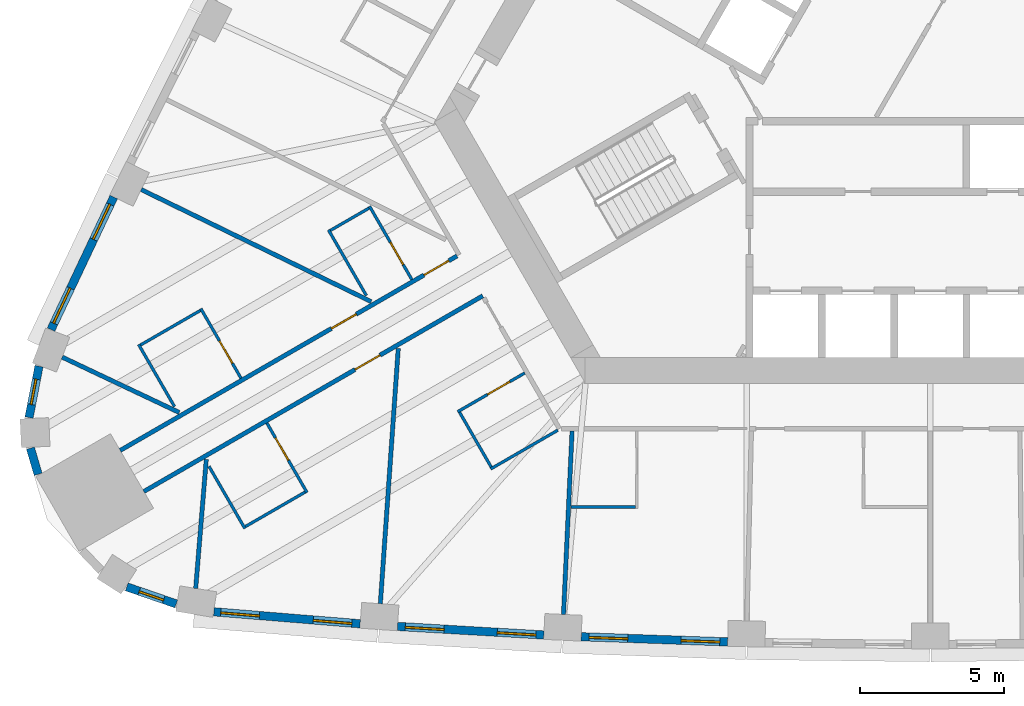
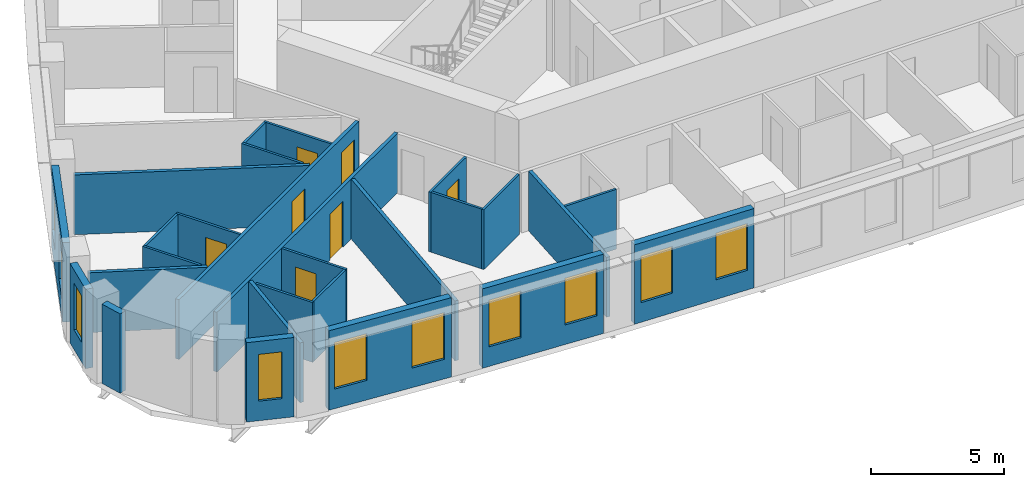
# One storey, part 3 of 13: 27 walls, 10 windows, 7 doors, 17 openings.
"""IFC4 building model written with IfcOpenShell, lengths in metres."""

from ifc_helpers import new_model, si_unit, direction, frame, frame_2d, origin, place, context, subcontext, project, spatial, rectangle, extrude, material, layer, layer_set, type_object, element, fill, save


model = new_model("IFC4")

# Units and contexts
model_context = context("Model", 3, precision=1e-05, world=origin(), true_north=direction((0.0, 1.0)))
body_context = subcontext(model_context, "Body", "Model", "MODEL_VIEW")
ifc_project = project(units=[si_unit("LENGTHUNIT", "METRE"), si_unit("AREAUNIT", "SQUARE_METRE"), si_unit("VOLUMEUNIT", "CUBIC_METRE"), si_unit("PLANEANGLEUNIT", "RADIAN"), si_unit("MASSUNIT", "GRAM", prefix="KILO")], contexts=[model_context])

# Site, building, storey
site_placement = place(None, origin())
site = spatial("IfcSite", under=ifc_project, at=site_placement, CompositionType="ELEMENT")
building_placement = place(site_placement, origin())
building = spatial("IfcBuilding", under=site, at=building_placement, Name="Mestral Congress Tower", CompositionType="ELEMENT")
storey_placement = place(building_placement, frame((0.0, 0.0, 83.699951171875)))
storey = spatial("IfcBuildingStorey", under=building, at=storey_placement, Name="L19", CompositionType="ELEMENT", Elevation=83.699951171875)

# Wall, openings, windows
ifc_material_1 = material(Name="Precast concrete C40/50 with limestone facing", Category="masonry")
ifc_layer_1 = layer(ifc_material_1, 0.2900390625)
ifc_layer_set_1 = layer_set([ifc_layer_1], Name="Precast concrete C40/50 with limestone facing")
wall_type_1 = type_object("IfcWallType", Name="Facade stone wall 290", PredefinedType="SOLIDWALL", material=ifc_layer_set_1)
wall_1_placement = place(storey_placement, frame((-24.9462890625, -20.95361328125, 0.0), z_axis=(0.0, 0.0, 1.0), x_axis=(0.99665273362, -0.081751627308, 0.0)))
wall_1 = element("IfcWall", 1, at=wall_1_placement, inside=storey, type_object=wall_type_1, Name="Facade wall F0-00", PredefinedType="SOLIDWALL", context=body_context, shape_type="SweptSolid", body=[
    extrude(rectangle(XDim=5.106689453125, YDim=0.2900390625, at=frame_2d((2.55322265625, 0.0))), origin(), (0.0, 0.0, 1.0), 3.650146484375),
])
opening_1_placement = place(wall_1_placement, frame((0.240478515625, 0.0, 0.89990234375)))
opening_1 = element("IfcOpeningElement", 2, at=opening_1_placement, cuts=wall_1, Name="Opening W2", PredefinedType="OPENING", context=body_context, shape_type="SweptSolid", body=[
    extrude(rectangle(XDim=1.35009765625, YDim=2.14990234375, at=frame_2d((0.675048828125, 1.074951171875))), frame((0.0, 0.155029296875, 0.0), z_axis=(0.0, -1.0, 0.0), x_axis=(1.0, 0.0, 0.0)), (0.0, 0.0, 1.0), 0.31005859375),
])
opening_2_placement = place(wall_1_placement, frame((3.47119140625, 0.0, 0.89990234375)))
opening_2 = element("IfcOpeningElement", 3, at=opening_2_placement, cuts=wall_1, Name="Opening W2", PredefinedType="OPENING", context=body_context, shape_type="SweptSolid", body=[
    extrude(rectangle(XDim=1.35009765625, YDim=2.14990234375, at=frame_2d((0.675048828125, 1.074951171875))), frame((0.0, 0.155029296875, 0.0), z_axis=(0.0, -1.0, 0.0), x_axis=(1.0, 0.0, 0.0)), (0.0, 0.0, 1.0), 0.31005859375),
])
ifc_material_2 = material(Name="Clear low-emissivity double glazing", Category="glass")
window_type_1 = type_object("IfcWindowType", Name="Facade punched window 1350 x 2150 sill 900", PartitioningType="DOUBLE_PANEL_VERTICAL", PredefinedType="WINDOW", material=ifc_material_2)
window_1_placement = place(opening_1_placement, origin())
window_1 = element("IfcWindow", 4, at=window_1_placement, inside=storey, type_object=window_type_1, Name="Window F0-00a", OverallHeight=2.14990234375, OverallWidth=1.35009765625, PartitioningType="DOUBLE_PANEL_VERTICAL", PredefinedType="WINDOW", context=body_context, shape_type="SweptSolid", body=[
    extrude(rectangle(XDim=1.35009765625, YDim=2.14990234375, at=frame_2d((0.675048828125, 1.074951171875))), frame((0.0, 0.01513671875, 0.0), z_axis=(0.0, -1.0, 0.0), x_axis=(1.0, 0.0, 0.0)), (0.0, 0.0, 1.0), 0.06005859375),
])
fill(opening_1, window_1)
window_2_placement = place(opening_2_placement, origin())
window_2 = element("IfcWindow", 5, at=window_2_placement, inside=storey, type_object=window_type_1, Name="Window F0-00b", OverallHeight=2.14990234375, OverallWidth=1.35009765625, PartitioningType="DOUBLE_PANEL_VERTICAL", PredefinedType="WINDOW", context=body_context, shape_type="SweptSolid", body=[
    extrude(rectangle(XDim=1.35009765625, YDim=2.14990234375, at=frame_2d((0.675048828125, 1.074951171875))), frame((0.0, 0.01513671875, 0.0), z_axis=(0.0, -1.0, 0.0), x_axis=(1.0, 0.0, 0.0)), (0.0, 0.0, 1.0), 0.06005859375),
])
fill(opening_2, window_2)

wall_2_placement = place(storey_placement, frame((-18.553466796875, -21.462890625, 0.0), z_axis=(0.0, 0.0, 1.0), x_axis=(0.998290511436, -0.058447025388, 0.0)))
wall_2 = element("IfcWall", 6, at=wall_2_placement, inside=storey, type_object=wall_type_1, Name="Facade wall F0-01", PredefinedType="SOLIDWALL", context=body_context, shape_type="SweptSolid", body=[
    extrude(rectangle(XDim=5.100341796875, YDim=0.2900390625, at=frame_2d((2.55029296875, 0.0))), origin(), (0.0, 0.0, 1.0), 3.650146484375),
])
opening_3_placement = place(wall_2_placement, frame((0.272705078125, 0.0, 0.89990234375)))
opening_3 = element("IfcOpeningElement", 7, at=opening_3_placement, cuts=wall_2, Name="Opening W2", PredefinedType="OPENING", context=body_context, shape_type="SweptSolid", body=[
    extrude(rectangle(XDim=1.35009765625, YDim=2.14990234375, at=frame_2d((0.675048828125, 1.074951171875))), frame((0.0, 0.155029296875, 0.0), z_axis=(0.0, -1.0, 0.0), x_axis=(1.0, 0.0, 0.0)), (0.0, 0.0, 1.0), 0.31005859375),
])
opening_4_placement = place(wall_2_placement, frame((3.477783203125, 0.0, 0.89990234375)))
opening_4 = element("IfcOpeningElement", 8, at=opening_4_placement, cuts=wall_2, Name="Opening W2", PredefinedType="OPENING", context=body_context, shape_type="SweptSolid", body=[
    extrude(rectangle(XDim=1.35009765625, YDim=2.14990234375, at=frame_2d((0.675048828125, 1.074951171875))), frame((0.0, 0.155029296875, 0.0), z_axis=(0.0, -1.0, 0.0), x_axis=(1.0, 0.0, 0.0)), (0.0, 0.0, 1.0), 0.31005859375),
])
window_3_placement = place(opening_3_placement, origin())
window_3 = element("IfcWindow", 9, at=window_3_placement, inside=storey, type_object=window_type_1, Name="Window F0-01a", OverallHeight=2.14990234375, OverallWidth=1.35009765625, PartitioningType="DOUBLE_PANEL_VERTICAL", PredefinedType="WINDOW", context=body_context, shape_type="SweptSolid", body=[
    extrude(rectangle(XDim=1.35009765625, YDim=2.14990234375, at=frame_2d((0.675048828125, 1.074951171875))), frame((0.0, 0.01513671875, 0.0), z_axis=(0.0, -1.0, 0.0), x_axis=(1.0, 0.0, 0.0)), (0.0, 0.0, 1.0), 0.06005859375),
])
fill(opening_3, window_3)
window_4_placement = place(opening_4_placement, origin())
window_4 = element("IfcWindow", 10, at=window_4_placement, inside=storey, type_object=window_type_1, Name="Window F0-01b", OverallHeight=2.14990234375, OverallWidth=1.35009765625, PartitioningType="DOUBLE_PANEL_VERTICAL", PredefinedType="WINDOW", context=body_context, shape_type="SweptSolid", body=[
    extrude(rectangle(XDim=1.35009765625, YDim=2.14990234375, at=frame_2d((0.675048828125, 1.074951171875))), frame((0.0, 0.01513671875, 0.0), z_axis=(0.0, -1.0, 0.0), x_axis=(1.0, 0.0, 0.0)), (0.0, 0.0, 1.0), 0.06005859375),
])
fill(opening_4, window_4)

wall_3_placement = place(storey_placement, frame((-12.15673828125, -21.822021484375, 0.0), z_axis=(0.0, 0.0, 1.0), x_axis=(0.999385993957, -0.035037623812, 0.0)))
wall_3 = element("IfcWall", 11, at=wall_3_placement, inside=storey, type_object=wall_type_1, Name="Facade wall F0-02", PredefinedType="SOLIDWALL", context=body_context, shape_type="SweptSolid", body=[
    extrude(rectangle(XDim=5.1005859375, YDim=0.2900390625, at=frame_2d((2.55029296875, 0.0))), origin(), (0.0, 0.0, 1.0), 3.650146484375),
])
opening_5_placement = place(wall_3_placement, frame((0.272705078125, 0.0, 0.89990234375)))
opening_5 = element("IfcOpeningElement", 12, at=opening_5_placement, cuts=wall_3, Name="Opening W2", PredefinedType="OPENING", context=body_context, shape_type="SweptSolid", body=[
    extrude(rectangle(XDim=1.35009765625, YDim=2.14990234375, at=frame_2d((0.675048828125, 1.074951171875))), frame((0.0, 0.155029296875, 0.0), z_axis=(0.0, -1.0, 0.0), x_axis=(1.0, 0.0, 0.0)), (0.0, 0.0, 1.0), 0.31005859375),
])
opening_6_placement = place(wall_3_placement, frame((3.477783203125, 0.0, 0.89990234375)))
opening_6 = element("IfcOpeningElement", 13, at=opening_6_placement, cuts=wall_3, Name="Opening W2", PredefinedType="OPENING", context=body_context, shape_type="SweptSolid", body=[
    extrude(rectangle(XDim=1.35009765625, YDim=2.14990234375, at=frame_2d((0.675048828125, 1.074951171875))), frame((0.0, 0.155029296875, 0.0), z_axis=(0.0, -1.0, 0.0), x_axis=(1.0, 0.0, 0.0)), (0.0, 0.0, 1.0), 0.31005859375),
])
window_5_placement = place(opening_5_placement, origin())
window_5 = element("IfcWindow", 14, at=window_5_placement, inside=storey, type_object=window_type_1, Name="Window F0-02a", OverallHeight=2.14990234375, OverallWidth=1.35009765625, PartitioningType="DOUBLE_PANEL_VERTICAL", PredefinedType="WINDOW", context=body_context, shape_type="SweptSolid", body=[
    extrude(rectangle(XDim=1.35009765625, YDim=2.14990234375, at=frame_2d((0.675048828125, 1.074951171875))), frame((0.0, 0.01513671875, 0.0), z_axis=(0.0, -1.0, 0.0), x_axis=(1.0, 0.0, 0.0)), (0.0, 0.0, 1.0), 0.06005859375),
])
fill(opening_5, window_5)
window_6_placement = place(opening_6_placement, origin())
window_6 = element("IfcWindow", 15, at=window_6_placement, inside=storey, type_object=window_type_1, Name="Window F0-02b", OverallHeight=2.14990234375, OverallWidth=1.35009765625, PartitioningType="DOUBLE_PANEL_VERTICAL", PredefinedType="WINDOW", context=body_context, shape_type="SweptSolid", body=[
    extrude(rectangle(XDim=1.35009765625, YDim=2.14990234375, at=frame_2d((0.675048828125, 1.074951171875))), frame((0.0, 0.01513671875, 0.0), z_axis=(0.0, -1.0, 0.0), x_axis=(1.0, 0.0, 0.0)), (0.0, 0.0, 1.0), 0.06005859375),
])
fill(opening_6, window_6)

wall_4_placement = place(storey_placement, frame((-28.436279296875, -6.5107421875, 0.0), z_axis=(0.0, 0.0, 1.0), x_axis=(-0.427543726596, -0.903994669148, 0.0)))
wall_4 = element("IfcWall", 16, at=wall_4_placement, inside=storey, type_object=wall_type_1, Name="Facade wall F2-07", PredefinedType="SOLIDWALL", context=body_context, shape_type="SweptSolid", body=[
    extrude(rectangle(XDim=5.106689453125, YDim=0.2900390625, at=frame_2d((2.55322265625, 0.0))), origin(), (0.0, 0.0, 1.0), 3.650146484375),
])
opening_7_placement = place(wall_4_placement, frame((0.285400390625, 0.0, 0.89990234375)))
opening_7 = element("IfcOpeningElement", 17, at=opening_7_placement, cuts=wall_4, Name="Opening W2", PredefinedType="OPENING", context=body_context, shape_type="SweptSolid", body=[
    extrude(rectangle(XDim=1.35009765625, YDim=2.14990234375, at=frame_2d((0.675048828125, 1.074951171875))), frame((0.0, 0.155029296875, 0.0), z_axis=(0.0, -1.0, 0.0), x_axis=(1.0, 0.0, 0.0)), (0.0, 0.0, 1.0), 0.31005859375),
])
opening_8_placement = place(wall_4_placement, frame((3.516357421875, 0.0, 0.89990234375)))
opening_8 = element("IfcOpeningElement", 18, at=opening_8_placement, cuts=wall_4, Name="Opening W2", PredefinedType="OPENING", context=body_context, shape_type="SweptSolid", body=[
    extrude(rectangle(XDim=1.35009765625, YDim=2.14990234375, at=frame_2d((0.675048828125, 1.074951171875))), frame((0.0, 0.155029296875, 0.0), z_axis=(0.0, -1.0, 0.0), x_axis=(1.0, 0.0, 0.0)), (0.0, 0.0, 1.0), 0.31005859375),
])
window_7_placement = place(opening_7_placement, origin())
window_7 = element("IfcWindow", 19, at=window_7_placement, inside=storey, type_object=window_type_1, Name="Window F2-07a", OverallHeight=2.14990234375, OverallWidth=1.35009765625, PartitioningType="DOUBLE_PANEL_VERTICAL", PredefinedType="WINDOW", context=body_context, shape_type="SweptSolid", body=[
    extrude(rectangle(XDim=1.35009765625, YDim=2.14990234375, at=frame_2d((0.675048828125, 1.074951171875))), frame((0.0, 0.01513671875, 0.0), z_axis=(0.0, -1.0, 0.0), x_axis=(1.0, 0.0, 0.0)), (0.0, 0.0, 1.0), 0.06005859375),
])
fill(opening_7, window_7)
window_8_placement = place(opening_8_placement, origin())
window_8 = element("IfcWindow", 20, at=window_8_placement, inside=storey, type_object=window_type_1, Name="Window F2-07b", OverallHeight=2.14990234375, OverallWidth=1.35009765625, PartitioningType="DOUBLE_PANEL_VERTICAL", PredefinedType="WINDOW", context=body_context, shape_type="SweptSolid", body=[
    extrude(rectangle(XDim=1.35009765625, YDim=2.14990234375, at=frame_2d((0.675048828125, 1.074951171875))), frame((0.0, 0.01513671875, 0.0), z_axis=(0.0, -1.0, 0.0), x_axis=(1.0, 0.0, 0.0)), (0.0, 0.0, 1.0), 0.06005859375),
])
fill(opening_8, window_8)

# Wall, opening, window
wall_5_placement = place(storey_placement, frame((-31.0390625, -12.403076171875, 0.0), z_axis=(0.0, 0.0, 1.0), x_axis=(-0.190409913989, -0.981704672829, 0.0)))
wall_5 = element("IfcWall", 21, at=wall_5_placement, inside=storey, type_object=wall_type_1, Name="Facade wall K2-0", PredefinedType="SOLIDWALL", context=body_context, shape_type="SweptSolid", body=[
    extrude(rectangle(XDim=1.8193359375, YDim=0.2900390625, at=frame_2d((0.90966796875, 0.0))), origin(), (0.0, 0.0, 1.0), 3.650146484375),
])
opening_9_placement = place(wall_5_placement, frame((0.459716796875, 0.0, 0.89990234375)))
opening_9 = element("IfcOpeningElement", 22, at=opening_9_placement, cuts=wall_5, Name="Opening W3", PredefinedType="OPENING", context=body_context, shape_type="SweptSolid", body=[
    extrude(rectangle(XDim=0.89990234375, YDim=2.14990234375, at=frame_2d((0.449951171875, 1.074951171875))), frame((0.0, 0.155029296875, 0.0), z_axis=(0.0, -1.0, 0.0), x_axis=(1.0, 0.0, 0.0)), (0.0, 0.0, 1.0), 0.31005859375),
])
window_type_2 = type_object("IfcWindowType", Name="Facade punched window 900 x 2150 sill 900", PartitioningType="SINGLE_PANEL", PredefinedType="WINDOW", material=ifc_material_2)
window_9_placement = place(opening_9_placement, origin())
window_9 = element("IfcWindow", 23, at=window_9_placement, inside=storey, type_object=window_type_2, Name="Window K2-0", OverallHeight=2.14990234375, OverallWidth=0.89990234375, PartitioningType="SINGLE_PANEL", PredefinedType="WINDOW", context=body_context, shape_type="SweptSolid", body=[
    extrude(rectangle(XDim=0.89990234375, YDim=2.14990234375, at=frame_2d((0.449951171875, 1.074951171875))), frame((0.0, 0.01513671875, 0.0), z_axis=(0.0, -1.0, 0.0), x_axis=(1.0, 0.0, 0.0)), (0.0, 0.0, 1.0), 0.06005859375),
])
fill(opening_9, window_9)

# Wall
wall_6_placement = place(storey_placement, frame((-31.335693359375, -15.25634765625, 0.0), z_axis=(0.0, 0.0, 1.0), x_axis=(0.281454582132, -0.95957455062, 0.0)))
element("IfcWall", 24, at=wall_6_placement, inside=storey, type_object=wall_type_1, Name="Facade wall K2-1", PredefinedType="SOLIDWALL", context=body_context, shape_type="SweptSolid", body=[
    extrude(rectangle(XDim=0.947265625, YDim=0.2900390625, at=frame_2d((0.4736328125, 0.0))), origin(), (0.0, 0.0, 1.0), 3.650146484375),
])

# Wall, opening, window
wall_7_placement = place(storey_placement, frame((-27.98095703125, -20.086181640625, 0.0), z_axis=(0.0, 0.0, 1.0), x_axis=(0.945385815453, -0.325953462844, 0.0)))
wall_7 = element("IfcWall", 25, at=wall_7_placement, inside=storey, type_object=wall_type_1, Name="Facade wall K2-3", PredefinedType="SOLIDWALL", context=body_context, shape_type="SweptSolid", body=[
    extrude(rectangle(XDim=1.8193359375, YDim=0.2900390625, at=frame_2d((0.90966796875, 0.0))), origin(), (0.0, 0.0, 1.0), 3.650146484375),
])
opening_10_placement = place(wall_7_placement, frame((0.459716796875, 0.0, 0.89990234375)))
opening_10 = element("IfcOpeningElement", 26, at=opening_10_placement, cuts=wall_7, Name="Opening W3", PredefinedType="OPENING", context=body_context, shape_type="SweptSolid", body=[
    extrude(rectangle(XDim=0.89990234375, YDim=2.14990234375, at=frame_2d((0.449951171875, 1.074951171875))), frame((0.0, 0.155029296875, 0.0), z_axis=(0.0, -1.0, 0.0), x_axis=(1.0, 0.0, 0.0)), (0.0, 0.0, 1.0), 0.31005859375),
])
window_10_placement = place(opening_10_placement, origin())
window_10 = element("IfcWindow", 27, at=window_10_placement, inside=storey, type_object=window_type_2, Name="Window K2-3", OverallHeight=2.14990234375, OverallWidth=0.89990234375, PartitioningType="SINGLE_PANEL", PredefinedType="WINDOW", context=body_context, shape_type="SweptSolid", body=[
    extrude(rectangle(XDim=0.89990234375, YDim=2.14990234375, at=frame_2d((0.449951171875, 1.074951171875))), frame((0.0, 0.01513671875, 0.0), z_axis=(0.0, -1.0, 0.0), x_axis=(1.0, 0.0, 0.0)), (0.0, 0.0, 1.0), 0.06005859375),
])
fill(opening_10, window_10)

# Wall, opening, door
ifc_material_3 = material(Name="Gypsum board partition on metal studs with mineral wool", Category="composite")
ifc_layer_2 = layer(ifc_material_3, 0.10009765625)
ifc_layer_set_2 = layer_set([ifc_layer_2], Name="Gypsum board partition on metal studs with mineral wool")
wall_type_2 = type_object("IfcWallType", Name="Hotel partition wall 100", PredefinedType="PARTITIONING", material=ifc_layer_set_2)
wall_8_placement = place(storey_placement, frame((-21.703857421875, -16.802978515625, 0.0), z_axis=(0.0, 0.0, 1.0), x_axis=(-0.500049511043, 0.865996816683, 0.0)))
wall_8 = element("IfcWall", 28, at=wall_8_placement, inside=storey, type_object=wall_type_2, Name="L19-h-pod01a", PredefinedType="PARTITIONING", context=body_context, shape_type="SweptSolid", body=[
    extrude(rectangle(XDim=2.800048828125, YDim=0.10009765625, at=frame_2d((1.39990234375, 0.0))), origin(), (0.0, 0.0, 1.0), 2.75),
])
opening_11_placement = place(wall_8_placement, frame((1.300048828125, 0.0, 0.0)))
opening_11 = element("IfcOpeningElement", 29, at=opening_11_placement, cuts=wall_8, Name="Opening H06-002", PredefinedType="OPENING", context=body_context, shape_type="SweptSolid", body=[
    extrude(rectangle(XDim=0.89990234375, YDim=2.10009765625, at=frame_2d((0.449951171875, 1.050048828125))), frame((0.0, 0.06005859375, 0.0), z_axis=(0.0, -1.0, 0.0), x_axis=(1.0, 0.0, 0.0)), (0.0, 0.0, 1.0), 0.1201171875),
])
ifc_material_4 = material(Name="Timber veneer door leaf in timber frame", Category="wood")
door_type_1 = type_object("IfcDoorType", Name="Bathroom door 900", OperationType="SINGLE_SWING_LEFT", PredefinedType="DOOR", material=ifc_material_4)
door_1_placement = place(opening_11_placement, origin())
door_1 = element("IfcDoor", 30, at=door_1_placement, inside=storey, type_object=door_type_1, Name="L19-h-d002", OperationType="SINGLE_SWING_LEFT", OverallHeight=2.10009765625, OverallWidth=0.89990234375, PredefinedType="DOOR", context=body_context, shape_type="SweptSolid", body=[
    extrude(rectangle(XDim=0.89990234375, YDim=2.10009765625, at=frame_2d((0.449951171875, 1.050048828125))), frame((0.0, 0.02490234375, 0.0), z_axis=(0.0, -1.0, 0.0), x_axis=(1.0, 0.0, 0.0)), (0.0, 0.0, 1.0), 0.050048828125),
])
fill(opening_11, door_1)

# Walls
wall_9_placement = place(storey_placement, frame((-21.772216796875, -16.784912109375, 0.0), z_axis=(0.0, 0.0, 1.0), x_axis=(-0.866024647952, -0.500001309137, 0.0)))
element("IfcWall", 31, at=wall_9_placement, inside=storey, type_object=wall_type_2, Name="L19-h-pod01b", PredefinedType="PARTITIONING", context=body_context, shape_type="SweptSolid", body=[
    extrude(rectangle(XDim=2.39990234375, YDim=0.10009765625, at=frame_2d((1.199951171875, 0.0))), origin(), (0.0, 0.0, 1.0), 2.75),
])
wall_10_placement = place(storey_placement, frame((-25.118896484375, -15.88818359375, 0.0), z_axis=(0.0, 0.0, 1.0), x_axis=(0.500046524342, -0.865998541277, 0.0)))
element("IfcWall", 32, at=wall_10_placement, inside=storey, type_object=wall_type_2, Name="L19-h-pod01c", PredefinedType="PARTITIONING", context=body_context, shape_type="SweptSolid", body=[
    extrude(rectangle(XDim=2.499755859375, YDim=0.10009765625, at=frame_2d((1.25, 0.0))), origin(), (0.0, 0.0, 1.0), 2.75),
])

# Wall, opening, door
wall_11_placement = place(storey_placement, frame((-14.123291015625, -12.637939453125, 0.0), z_axis=(0.0, 0.0, 1.0), x_axis=(-0.86599734893, -0.500048589285, 0.0)))
wall_11 = element("IfcWall", 33, at=wall_11_placement, inside=storey, type_object=wall_type_2, Name="L19-h-pod02a", PredefinedType="PARTITIONING", context=body_context, shape_type="SweptSolid", body=[
    extrude(rectangle(XDim=2.699951171875, YDim=0.10009765625, at=frame_2d((1.35009765625, 0.0))), origin(), (0.0, 0.0, 1.0), 2.75),
])
opening_12_placement = place(wall_11_placement, frame((0.60009765625, 0.0, 0.0)))
opening_12 = element("IfcOpeningElement", 34, at=opening_12_placement, cuts=wall_11, Name="Opening H06-004", PredefinedType="OPENING", context=body_context, shape_type="SweptSolid", body=[
    extrude(rectangle(XDim=0.89990234375, YDim=2.10009765625, at=frame_2d((0.449951171875, 1.050048828125))), frame((0.0, 0.06005859375, 0.0), z_axis=(0.0, -1.0, 0.0), x_axis=(1.0, 0.0, 0.0)), (0.0, 0.0, 1.0), 0.1201171875),
])
door_2_placement = place(opening_12_placement, origin())
door_2 = element("IfcDoor", 35, at=door_2_placement, inside=storey, type_object=door_type_1, Name="L19-h-d004", OperationType="SINGLE_SWING_LEFT", OverallHeight=2.10009765625, OverallWidth=0.89990234375, PredefinedType="DOOR", context=body_context, shape_type="SweptSolid", body=[
    extrude(rectangle(XDim=0.89990234375, YDim=2.10009765625, at=frame_2d((0.449951171875, 1.050048828125))), frame((0.0, 0.02490234375, 0.0), z_axis=(0.0, -1.0, 0.0), x_axis=(1.0, 0.0, 0.0)), (0.0, 0.0, 1.0), 0.050048828125),
])
fill(opening_12, door_2)

# Walls
wall_12_placement = place(storey_placement, frame((-16.39306640625, -14.00634765625, 0.0), z_axis=(0.0, 0.0, 1.0), x_axis=(0.499946605688, -0.86605622881, 0.0)))
element("IfcWall", 36, at=wall_12_placement, inside=storey, type_object=wall_type_2, Name="L19-h-pod02b", PredefinedType="PARTITIONING", context=body_context, shape_type="SweptSolid", body=[
    extrude(rectangle(XDim=2.199951171875, YDim=0.10009765625, at=frame_2d((1.10009765625, 0.0))), origin(), (0.0, 0.0, 1.0), 2.75),
])
wall_13_placement = place(storey_placement, frame((-12.97314453125, -14.6298828125, 0.0), z_axis=(0.0, 0.0, 1.0), x_axis=(-0.866036505625, -0.499980770555, 0.0)))
element("IfcWall", 37, at=wall_13_placement, inside=storey, type_object=wall_type_2, Name="L19-h-pod02c", PredefinedType="PARTITIONING", context=body_context, shape_type="SweptSolid", body=[
    extrude(rectangle(XDim=2.69970703125, YDim=0.10009765625, at=frame_2d((1.349853515625, 0.0))), origin(), (0.0, 0.0, 1.0), 2.75),
])
wall_14_placement = place(storey_placement, frame((-10.272216796875, -17.300048828125, 0.0), z_axis=(0.0, 0.0, 1.0), x_axis=(-1.0, 0.0, 0.0)))
element("IfcWall", 38, at=wall_14_placement, inside=storey, type_object=wall_type_2, Name="L19-h-pod03b", PredefinedType="PARTITIONING", context=body_context, shape_type="SweptSolid", body=[
    extrude(rectangle(XDim=2.25, YDim=0.10009765625, at=frame_2d((1.125, 0.0))), origin(), (0.0, 0.0, 1.0), 2.75),
])

# Wall, opening, door
wall_15_placement = place(storey_placement, frame((-18.05517578125, -9.385009765625, 0.0), z_axis=(0.0, 0.0, 1.0), x_axis=(-0.499939757307, 0.866060182126, 0.0)))
wall_15 = element("IfcWall", 39, at=wall_15_placement, inside=storey, type_object=wall_type_2, Name="L19-h-pod26a", PredefinedType="PARTITIONING", context=body_context, shape_type="SweptSolid", body=[
    extrude(rectangle(XDim=2.949951171875, YDim=0.10009765625, at=frame_2d((1.47509765625, 0.0))), origin(), (0.0, 0.0, 1.0), 2.75),
])
opening_13_placement = place(wall_15_placement, frame((0.60009765625, 0.0, 0.0)))
opening_13 = element("IfcOpeningElement", 40, at=opening_13_placement, cuts=wall_15, Name="Opening H06-049", PredefinedType="OPENING", context=body_context, shape_type="SweptSolid", body=[
    extrude(rectangle(XDim=0.89990234375, YDim=2.10009765625, at=frame_2d((0.449951171875, 1.050048828125))), frame((0.0, 0.06005859375, 0.0), z_axis=(0.0, -1.0, 0.0), x_axis=(1.0, 0.0, 0.0)), (0.0, 0.0, 1.0), 0.1201171875),
])
door_3_placement = place(opening_13_placement, origin())
door_3 = element("IfcDoor", 41, at=door_3_placement, inside=storey, type_object=door_type_1, Name="L19-h-d049", OperationType="SINGLE_SWING_LEFT", OverallHeight=2.10009765625, OverallWidth=0.89990234375, PredefinedType="DOOR", context=body_context, shape_type="SweptSolid", body=[
    extrude(rectangle(XDim=0.89990234375, YDim=2.10009765625, at=frame_2d((0.449951171875, 1.050048828125))), frame((0.0, 0.02490234375, 0.0), z_axis=(0.0, -1.0, 0.0), x_axis=(1.0, 0.0, 0.0)), (0.0, 0.0, 1.0), 0.050048828125),
])
fill(opening_13, door_3)

# Walls
wall_16_placement = place(storey_placement, frame((-19.548583984375, -6.8984375, 0.0), z_axis=(0.0, 0.0, 1.0), x_axis=(-0.866043940782, -0.499967891604, 0.0)))
element("IfcWall", 42, at=wall_16_placement, inside=storey, type_object=wall_type_2, Name="L19-h-pod26b", PredefinedType="PARTITIONING", context=body_context, shape_type="SweptSolid", body=[
    extrude(rectangle(XDim=1.5498046875, YDim=0.10009765625, at=frame_2d((0.77490234375, 0.0))), origin(), (0.0, 0.0, 1.0), 2.75),
])
wall_17_placement = place(storey_placement, frame((-19.63916015625, -9.94140625, 0.0), z_axis=(0.0, 0.0, 1.0), x_axis=(-0.499938597367, 0.866060851709, 0.0)))
element("IfcWall", 43, at=wall_17_placement, inside=storey, type_object=wall_type_2, Name="L19-h-pod26c", PredefinedType="PARTITIONING", context=body_context, shape_type="SweptSolid", body=[
    extrude(rectangle(XDim=2.639892578125, YDim=0.10009765625, at=frame_2d((1.31982421875, 0.0))), origin(), (0.0, 0.0, 1.0), 2.75),
])

# Wall, opening, door
wall_18_placement = place(storey_placement, frame((-24.00390625, -12.819580078125, 0.0), z_axis=(0.0, 0.0, 1.0), x_axis=(-0.500011755427, 0.866018616679, 0.0)))
wall_18 = element("IfcWall", 44, at=wall_18_placement, inside=storey, type_object=wall_type_2, Name="L19-h-pod27a", PredefinedType="PARTITIONING", context=body_context, shape_type="SweptSolid", body=[
    extrude(rectangle(XDim=2.80029296875, YDim=0.10009765625, at=frame_2d((1.400146484375, 0.0))), origin(), (0.0, 0.0, 1.0), 2.75),
])
opening_14_placement = place(wall_18_placement, frame((0.60009765625, 0.0, 0.0)))
opening_14 = element("IfcOpeningElement", 45, at=opening_14_placement, cuts=wall_18, Name="Opening H06-051", PredefinedType="OPENING", context=body_context, shape_type="SweptSolid", body=[
    extrude(rectangle(XDim=0.89990234375, YDim=2.10009765625, at=frame_2d((0.449951171875, 1.050048828125))), frame((0.0, 0.06005859375, 0.0), z_axis=(0.0, -1.0, 0.0), x_axis=(1.0, 0.0, 0.0)), (0.0, 0.0, 1.0), 0.1201171875),
])
door_4_placement = place(opening_14_placement, origin())
door_4 = element("IfcDoor", 46, at=door_4_placement, inside=storey, type_object=door_type_1, Name="L19-h-d051", OperationType="SINGLE_SWING_RIGHT", OverallHeight=2.10009765625, OverallWidth=0.89990234375, PredefinedType="DOOR", context=body_context, shape_type="SweptSolid", body=[
    extrude(rectangle(XDim=0.89990234375, YDim=2.10009765625, at=frame_2d((0.449951171875, 1.050048828125))), frame((0.0, 0.02490234375, 0.0), z_axis=(0.0, -1.0, 0.0), x_axis=(1.0, 0.0, 0.0)), (0.0, 0.0, 1.0), 0.050048828125),
])
fill(opening_14, door_4)

# Walls
wall_19_placement = place(storey_placement, frame((-25.42236328125, -10.462890625, 0.0), z_axis=(0.0, 0.0, 1.0), x_axis=(-0.866024647952, -0.500001309137, 0.0)))
element("IfcWall", 47, at=wall_19_placement, inside=storey, type_object=wall_type_2, Name="L19-h-pod27b", PredefinedType="PARTITIONING", context=body_context, shape_type="SweptSolid", body=[
    extrude(rectangle(XDim=2.39990234375, YDim=0.10009765625, at=frame_2d((1.199951171875, 0.0))), origin(), (0.0, 0.0, 1.0), 2.75),
])
wall_20_placement = place(storey_placement, frame((-26.319091796875, -13.809814453125, 0.0), z_axis=(0.0, 0.0, 1.0), x_axis=(-0.499961950354, 0.866047370643, 0.0)))
element("IfcWall", 48, at=wall_20_placement, inside=storey, type_object=wall_type_2, Name="L19-h-pod27c", PredefinedType="PARTITIONING", context=body_context, shape_type="SweptSolid", body=[
    extrude(rectangle(XDim=2.500244140625, YDim=0.10009765625, at=frame_2d((1.25, 0.0))), origin(), (0.0, 0.0, 1.0), 2.75),
])

# Wall, openings, doors
ifc_layer_3 = layer(ifc_material_3, 0.14990234375)
ifc_layer_set_3 = layer_set([ifc_layer_3], Name="Gypsum board partition on metal studs with mineral wool")
wall_type_3 = type_object("IfcWallType", Name="Hotel partition wall 150", PredefinedType="PARTITIONING", material=ifc_layer_set_3)
wall_21_placement = place(storey_placement, frame((-28.210693359375, -15.334716796875, 0.0), z_axis=(0.0, 0.0, 1.0), x_axis=(0.866025884867, 0.49999916674, 0.0)))
wall_21 = element("IfcWall", 49, at=wall_21_placement, inside=storey, type_object=wall_type_3, Name="L19-h-cw10", PredefinedType="PARTITIONING", context=body_context, shape_type="SweptSolid", body=[
    extrude(rectangle(XDim=13.54345703125, YDim=0.14990234375, at=frame_2d((6.771728515625, 0.0))), origin(), (0.0, 0.0, 1.0), 2.75),
])
opening_15_placement = place(wall_21_placement, frame((12.213623046875, 0.0, 0.0)))
opening_15 = element("IfcOpeningElement", 50, at=opening_15_placement, cuts=wall_21, Name="Opening H06-048", PredefinedType="OPENING", context=body_context, shape_type="SweptSolid", body=[
    extrude(rectangle(XDim=1.0, YDim=2.10009765625, at=frame_2d((0.5, 1.050048828125))), frame((0.0, 0.0849609375, 0.0), z_axis=(0.0, -1.0, 0.0), x_axis=(1.0, 0.0, 0.0)), (0.0, 0.0, 1.0), 0.169921875),
])
opening_16_placement = place(wall_21_placement, frame((8.48828125, 0.0, 0.0)))
opening_16 = element("IfcOpeningElement", 51, at=opening_16_placement, cuts=wall_21, Name="Opening H06-050", PredefinedType="OPENING", context=body_context, shape_type="SweptSolid", body=[
    extrude(rectangle(XDim=1.0, YDim=2.10009765625, at=frame_2d((0.5, 1.050048828125))), frame((0.0, 0.0849609375, 0.0), z_axis=(0.0, -1.0, 0.0), x_axis=(1.0, 0.0, 0.0)), (0.0, 0.0, 1.0), 0.169921875),
])
ifc_material_5 = material(Name="Timber veneer door leaf in metal frame", Category="wood")
door_type_2 = type_object("IfcDoorType", Name="Guest room entrance door 1000", OperationType="SINGLE_SWING_LEFT", PredefinedType="DOOR", material=ifc_material_5)
door_5_placement = place(opening_15_placement, origin())
door_5 = element("IfcDoor", 52, at=door_5_placement, inside=storey, type_object=door_type_2, Name="L19-h-d048", OperationType="SINGLE_SWING_RIGHT", OverallHeight=2.10009765625, OverallWidth=1.0, PredefinedType="DOOR", context=body_context, shape_type="SweptSolid", body=[
    extrude(rectangle(XDim=1.0, YDim=2.10009765625, at=frame_2d((0.5, 1.050048828125))), frame((0.0, 0.02490234375, 0.0), z_axis=(0.0, -1.0, 0.0), x_axis=(1.0, 0.0, 0.0)), (0.0, 0.0, 1.0), 0.050048828125),
])
fill(opening_15, door_5)
door_6_placement = place(opening_16_placement, origin())
door_6 = element("IfcDoor", 53, at=door_6_placement, inside=storey, type_object=door_type_2, Name="L19-h-d050", OperationType="SINGLE_SWING_RIGHT", OverallHeight=2.10009765625, OverallWidth=1.0, PredefinedType="DOOR", context=body_context, shape_type="SweptSolid", body=[
    extrude(rectangle(XDim=1.0, YDim=2.10009765625, at=frame_2d((0.5, 1.050048828125))), frame((0.0, 0.02490234375, 0.0), z_axis=(0.0, -1.0, 0.0), x_axis=(1.0, 0.0, 0.0)), (0.0, 0.0, 1.0), 0.050048828125),
])
fill(opening_16, door_6)

# Wall, opening, door
wall_22_placement = place(storey_placement, frame((-15.58740234375, -9.951904296875, 0.0), z_axis=(0.0, 0.0, 1.0), x_axis=(-0.866017869832, -0.500013048961, 0.0)))
wall_22 = element("IfcWall", 54, at=wall_22_placement, inside=storey, type_object=wall_type_3, Name="L19-h-cw11", PredefinedType="PARTITIONING", context=body_context, shape_type="SweptSolid", body=[
    extrude(rectangle(XDim=13.623779296875, YDim=0.14990234375, at=frame_2d((6.81201171875, 0.0))), origin(), (0.0, 0.0, 1.0), 2.75),
])
opening_17_placement = place(wall_22_placement, frame((4.1337890625, 0.0, 0.0)))
opening_17 = element("IfcOpeningElement", 55, at=opening_17_placement, cuts=wall_22, Name="Opening H06-001", PredefinedType="OPENING", context=body_context, shape_type="SweptSolid", body=[
    extrude(rectangle(XDim=1.0, YDim=2.10009765625, at=frame_2d((0.5, 1.050048828125))), frame((0.0, 0.0849609375, 0.0), z_axis=(0.0, -1.0, 0.0), x_axis=(1.0, 0.0, 0.0)), (0.0, 0.0, 1.0), 0.169921875),
])
door_7_placement = place(opening_17_placement, origin())
door_7 = element("IfcDoor", 56, at=door_7_placement, inside=storey, type_object=door_type_2, Name="L19-h-d001", OperationType="SINGLE_SWING_LEFT", OverallHeight=2.10009765625, OverallWidth=1.0, PredefinedType="DOOR", context=body_context, shape_type="SweptSolid", body=[
    extrude(rectangle(XDim=1.0, YDim=2.10009765625, at=frame_2d((0.5, 1.050048828125))), frame((0.0, 0.02490234375, 0.0), z_axis=(0.0, -1.0, 0.0), x_axis=(1.0, 0.0, 0.0)), (0.0, 0.0, 1.0), 0.050048828125),
])
fill(opening_17, door_7)

# Walls
wall_23_placement = place(storey_placement, frame((-30.23095703125, -12.08544921875, 0.0), z_axis=(0.0, 0.0, 1.0), x_axis=(0.904001132572, -0.427530060122, 0.0)))
element("IfcWall", 57, at=wall_23_placement, inside=storey, type_object=wall_type_3, Name="L19-h-pw01", PredefinedType="PARTITIONING", context=body_context, shape_type="SweptSolid", body=[
    extrude(rectangle(XDim=4.509521484375, YDim=0.14990234375, at=frame_2d((2.2548828125, 0.0))), origin(), (0.0, 0.0, 1.0), 2.75),
])
wall_24_placement = place(storey_placement, frame((-25.581787109375, -20.13818359375, 0.0), z_axis=(0.0, 0.0, 1.0), x_axis=(0.081746132986, 0.996653184283, 0.0)))
element("IfcWall", 58, at=wall_24_placement, inside=storey, type_object=wall_type_3, Name="L19-h-pw02", PredefinedType="PARTITIONING", context=body_context, shape_type="SweptSolid", body=[
    extrude(rectangle(XDim=4.509765625, YDim=0.14990234375, at=frame_2d((2.2548828125, 0.0))), origin(), (0.0, 0.0, 1.0), 2.75),
])
wall_25_placement = place(storey_placement, frame((-27.478515625, -6.2509765625, 0.0), z_axis=(0.0, 0.0, 1.0), x_axis=(0.898945877276, -0.438059710231, 0.0)))
element("IfcWall", 59, at=wall_25_placement, inside=storey, type_object=wall_type_3, Name="L19-h-pw03", PredefinedType="PARTITIONING", context=body_context, shape_type="SweptSolid", body=[
    extrude(rectangle(XDim=8.909423828125, YDim=0.14990234375, at=frame_2d((4.45458984375, 0.0))), origin(), (0.0, 0.0, 1.0), 2.75),
])
wall_26_placement = place(storey_placement, frame((-19.152587890625, -20.67138671875, 0.0), z_axis=(0.0, 0.0, 1.0), x_axis=(0.070070736723, 0.997542025107, 0.0)))
element("IfcWall", 60, at=wall_26_placement, inside=storey, type_object=wall_type_3, Name="L19-h-pw04", PredefinedType="PARTITIONING", context=body_context, shape_type="SweptSolid", body=[
    extrude(rectangle(XDim=8.9091796875, YDim=0.14990234375, at=frame_2d((4.45458984375, 0.0))), origin(), (0.0, 0.0, 1.0), 2.75),
])
wall_27_placement = place(storey_placement, frame((-12.7744140625, -21.044921875, 0.0), z_axis=(0.0, 0.0, 1.0), x_axis=(0.046750341626, 0.998906605023, 0.0)))
element("IfcWall", 61, at=wall_27_placement, inside=storey, type_object=wall_type_3, Name="L19-h-pw09", PredefinedType="PARTITIONING", context=body_context, shape_type="SweptSolid", body=[
    extrude(rectangle(XDim=6.39208984375, YDim=0.14990234375, at=frame_2d((3.196044921875, 0.0))), origin(), (0.0, 0.0, 1.0), 2.75),
])

save(model, "model.ifc")
